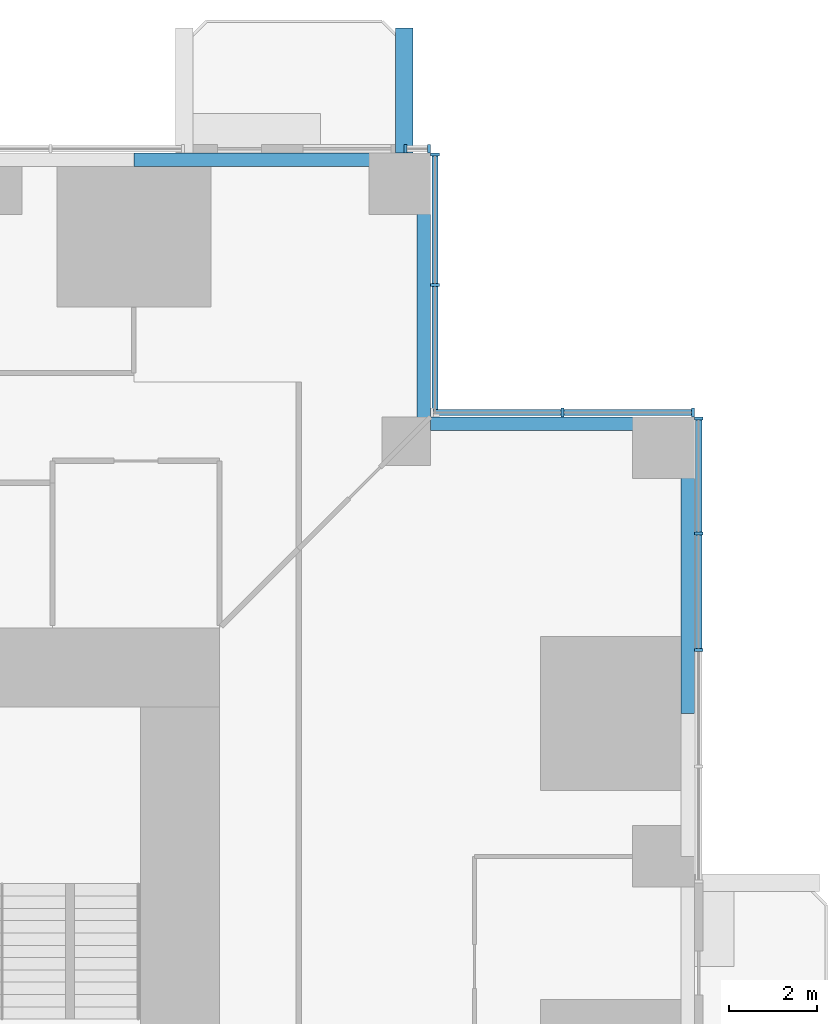
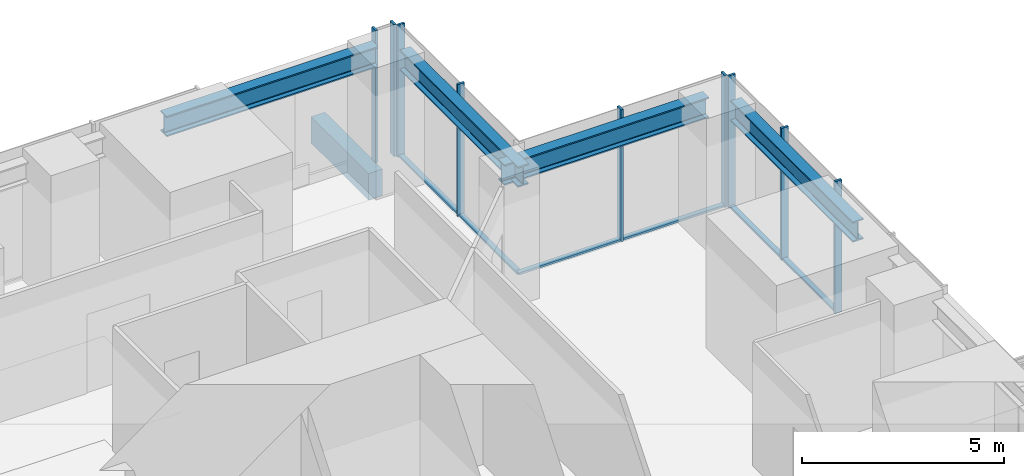
# One storey, part 6 of 17: 15 members, 5 beams, 4 elements without a shape of their own.
"""IFC4 building model written with IfcOpenShell, lengths in metres."""

from ifc_helpers import new_model, si_unit, direction, frame, origin, origin_2d, place, context, subcontext, project, spatial, rectangle, i_section, extrude, material, material_profile, profile_set, type_object, element, aggregate, save


model = new_model("IFC4")

# Units and contexts
model_context = context("Model", 3, precision=1e-05, world=origin(), true_north=direction((0.0, 1.0)))
body_context = subcontext(model_context, "Body", "Model", "MODEL_VIEW")
ifc_project = project(units=[si_unit("LENGTHUNIT", "METRE"), si_unit("AREAUNIT", "SQUARE_METRE"), si_unit("VOLUMEUNIT", "CUBIC_METRE"), si_unit("PLANEANGLEUNIT", "RADIAN"), si_unit("MASSUNIT", "GRAM", prefix="KILO")], contexts=[model_context])

# Site, building, storey
site_placement = place(None, origin())
site = spatial("IfcSite", under=ifc_project, at=site_placement, CompositionType="ELEMENT")
building_placement = place(site_placement, origin())
building = spatial("IfcBuilding", under=site, at=building_placement, Name="Svetlomir Tower", CompositionType="ELEMENT")
storey_placement = place(building_placement, frame((0.0, 0.0, 30.5)))
storey = spatial("IfcBuildingStorey", under=building, at=storey_placement, Name="L06", CompositionType="ELEMENT", Elevation=30.5)

# Beam
ifc_material_1 = material(Name="Concrete C60/75", Category="concrete")
ifc_material_profile_1 = material_profile(ifc_material_1, rectangle(XDim=0.39990234375, YDim=0.800048828125, at=origin_2d()), Name="RC 400x800")
ifc_profile_set_1 = profile_set([ifc_material_profile_1], Name="Concrete C60/75")
beam_type_1 = type_object("IfcBeamType", Name="BALCONY RIB RC 400x800", PredefinedType="BEAM", material=ifc_profile_set_1)
beam_placement = place(storey_placement, frame((35.39990234375, 42.0, -0.64990234375), z_axis=(0.0, 1.0, 0.0), x_axis=(-1.0, 0.0, 0.0)))
element("IfcBeam", 1, at=beam_placement, inside=storey, type_object=beam_type_1, Name="Balcony rib N 2 L06", PredefinedType="BEAM", context=body_context, shape_type="SweptSolid", body=[
    extrude(rectangle(XDim=0.39990234375, YDim=0.800048828125, at=origin_2d()), origin(), (0.0, 0.0, 1.0), 2.85009765625),
])

# Curtain wall, members
ifc_material_2 = material(Name="Bronze anodised aluminium curtain wall", Category="aluminium")
curtain_wall_type = type_object("IfcCurtainWallType", Name="CURTAIN WALL CW1 TOWER OFFICE", PredefinedType="NOTDEFINED", material=ifc_material_2)
curtain_wall_1_placement = place(storey_placement, origin())
curtain_wall_1 = element("IfcCurtainWall", 2, at=curtain_wall_1_placement, inside=storey, type_object=curtain_wall_type, Name="Curtain wall CW1 L06", PredefinedType="NOTDEFINED")
ifc_material_3 = material(Name="Bronze anodised aluminium", Category="aluminium")
ifc_material_profile_2 = material_profile(ifc_material_3, rectangle(XDim=0.06494140625, YDim=0.199951171875, at=origin_2d()), Name="AL 65x200")
ifc_profile_set_2 = profile_set([ifc_material_profile_2], Name="Bronze anodised aluminium 6063-T6")
member_type_1 = type_object("IfcMemberType", Name="CW1 MULLION 65x200", PredefinedType="MULLION", material=ifc_profile_set_2)
member_1_placement = place(storey_placement, frame((42.10009765625, 30.699951171875, 0.0), z_axis=(0.0, 0.0, 1.0), x_axis=(0.0, 1.0, 0.0)))
member_1 = element("IfcMember", 3, at=member_1_placement, type_object=member_type_1, Name="CW1 mullion 3", PredefinedType="MULLION", context=body_context, shape_type="SweptSolid", body=[
    extrude(rectangle(XDim=0.06494140625, YDim=0.199951171875, at=origin_2d()), origin(), (0.0, 0.0, 1.0), 4.0),
])
member_2_placement = place(storey_placement, frame((42.10009765625, 33.35009765625, 0.0), z_axis=(0.0, 0.0, 1.0), x_axis=(0.0, 1.0, 0.0)))
member_2 = element("IfcMember", 4, at=member_2_placement, type_object=member_type_1, Name="CW1 mullion 4", PredefinedType="MULLION", context=body_context, shape_type="SweptSolid", body=[
    extrude(rectangle(XDim=0.06494140625, YDim=0.199951171875, at=origin_2d()), origin(), (0.0, 0.0, 1.0), 4.0),
])
member_3_placement = place(storey_placement, frame((42.10009765625, 35.967529296875, 0.0), z_axis=(0.0, 0.0, 1.0), x_axis=(0.0, 1.0, 0.0)))
member_3 = element("IfcMember", 5, at=member_3_placement, type_object=member_type_1, Name="CW1 mullion 5", PredefinedType="MULLION", context=body_context, shape_type="SweptSolid", body=[
    extrude(rectangle(XDim=0.06494140625, YDim=0.199951171875, at=origin_2d()), origin(), (0.0, 0.0, 1.0), 4.0),
])

curtain_wall_2_placement = place(storey_placement, origin())
curtain_wall_2 = element("IfcCurtainWall", 6, at=curtain_wall_2_placement, inside=storey, type_object=curtain_wall_type, Name="Curtain wall CW1 L06", PredefinedType="NOTDEFINED")
member_4_placement = place(storey_placement, frame((41.967529296875, 36.10009765625, 0.0), z_axis=(0.0, 0.0, 1.0), x_axis=(-1.0, 0.0, 0.0)))
member_4 = element("IfcMember", 7, at=member_4_placement, type_object=member_type_1, Name="CW1 mullion 1", PredefinedType="MULLION", context=body_context, shape_type="SweptSolid", body=[
    extrude(rectangle(XDim=0.06494140625, YDim=0.199951171875, at=origin_2d()), origin(), (0.0, 0.0, 1.0), 4.0),
])
member_5_placement = place(storey_placement, frame((39.0, 36.10009765625, 0.0), z_axis=(0.0, 0.0, 1.0), x_axis=(-1.0, 0.0, 0.0)))
member_5 = element("IfcMember", 8, at=member_5_placement, type_object=member_type_1, Name="CW1 mullion 2", PredefinedType="MULLION", context=body_context, shape_type="SweptSolid", body=[
    extrude(rectangle(XDim=0.06494140625, YDim=0.199951171875, at=origin_2d()), origin(), (0.0, 0.0, 1.0), 4.0),
])

curtain_wall_3_placement = place(storey_placement, origin())
curtain_wall_3 = element("IfcCurtainWall", 9, at=curtain_wall_3_placement, inside=storey, type_object=curtain_wall_type, Name="Curtain wall CW1 L06", PredefinedType="NOTDEFINED")
member_6_placement = place(storey_placement, frame((36.10009765625, 39.0, 0.0), z_axis=(0.0, 0.0, 1.0), x_axis=(0.0, 1.0, 0.0)))
member_6 = element("IfcMember", 10, at=member_6_placement, type_object=member_type_1, Name="CW1 mullion 2", PredefinedType="MULLION", context=body_context, shape_type="SweptSolid", body=[
    extrude(rectangle(XDim=0.06494140625, YDim=0.199951171875, at=origin_2d()), origin(), (0.0, 0.0, 1.0), 4.0),
])
member_7_placement = place(storey_placement, frame((36.10009765625, 41.967529296875, 0.0), z_axis=(0.0, 0.0, 1.0), x_axis=(0.0, 1.0, 0.0)))
member_7 = element("IfcMember", 11, at=member_7_placement, type_object=member_type_1, Name="CW1 mullion 3", PredefinedType="MULLION", context=body_context, shape_type="SweptSolid", body=[
    extrude(rectangle(XDim=0.06494140625, YDim=0.199951171875, at=origin_2d()), origin(), (0.0, 0.0, 1.0), 4.0),
])

curtain_wall_4_placement = place(storey_placement, origin())
curtain_wall_4 = element("IfcCurtainWall", 12, at=curtain_wall_4_placement, inside=storey, type_object=curtain_wall_type, Name="Curtain wall CW1 L06", PredefinedType="NOTDEFINED")
member_8_placement = place(storey_placement, frame((35.967529296875, 42.10009765625, 0.0), z_axis=(0.0, 0.0, 1.0), x_axis=(-1.0, 0.0, 0.0)))
member_8 = element("IfcMember", 13, at=member_8_placement, type_object=member_type_1, Name="CW1 mullion 1", PredefinedType="MULLION", context=body_context, shape_type="SweptSolid", body=[
    extrude(rectangle(XDim=0.06494140625, YDim=0.199951171875, at=origin_2d()), origin(), (0.0, 0.0, 1.0), 4.0),
])
member_9_placement = place(storey_placement, frame((35.4326171875, 42.10009765625, 0.0), z_axis=(0.0, 0.0, 1.0), x_axis=(-1.0, 0.0, 0.0)))
member_9 = element("IfcMember", 14, at=member_9_placement, type_object=member_type_1, Name="CW1 mullion 2", PredefinedType="MULLION", context=body_context, shape_type="SweptSolid", body=[
    extrude(rectangle(XDim=0.06494140625, YDim=0.199951171875, at=origin_2d()), origin(), (0.0, 0.0, 1.0), 4.0),
])
aggregate(curtain_wall_4, [member_8, member_9])

# Member
ifc_material_4 = material(Name="Bronze anodised aluminium", Category="aluminium")
ifc_material_profile_3 = material_profile(ifc_material_4, rectangle(XDim=0.139892578125, YDim=0.06494140625, at=origin_2d()), Name="AL 140x65")
ifc_profile_set_3 = profile_set([ifc_material_profile_3], Name="Bronze anodised aluminium 6063-T6")
member_type_2 = type_object("IfcMemberType", Name="CW1 TRANSOM 65x140", PredefinedType="USERDEFINED", material=ifc_profile_set_3)
member_10_placement = place(storey_placement, frame((42.10009765625, 30.732421875, 0.032470703125), z_axis=(0.0, 1.0, 0.0), x_axis=(-1.0, 0.0, 0.0)))
member_10 = element("IfcMember", 15, at=member_10_placement, type_object=member_type_2, Name="CW1 transom 3.1", ObjectType="TRANSOM", PredefinedType="USERDEFINED", context=body_context, shape_type="SweptSolid", body=[
    extrude(rectangle(XDim=0.139892578125, YDim=0.06494140625, at=origin_2d()), origin(), (0.0, 0.0, 1.0), 2.5849609375),
])

member_11_placement = place(storey_placement, frame((42.10009765625, 33.382568359375, 0.032470703125), z_axis=(0.0, 1.0, 0.0), x_axis=(-1.0, 0.0, 0.0)))
member_11 = element("IfcMember", 16, at=member_11_placement, type_object=member_type_2, Name="CW1 transom 4.1", ObjectType="TRANSOM", PredefinedType="USERDEFINED", context=body_context, shape_type="SweptSolid", body=[
    extrude(rectangle(XDim=0.139892578125, YDim=0.06494140625, at=origin_2d()), origin(), (0.0, 0.0, 1.0), 2.552490234375),
])

aggregate(curtain_wall_1, [member_1, member_2, member_3, member_10, member_11])

member_12_placement = place(storey_placement, frame((41.93505859375, 36.10009765625, 0.032470703125), z_axis=(-1.0, 0.0, 0.0), x_axis=(0.0, -1.0, 0.0)))
member_12 = element("IfcMember", 17, at=member_12_placement, type_object=member_type_2, Name="CW1 transom 1.1", ObjectType="TRANSOM", PredefinedType="USERDEFINED", context=body_context, shape_type="SweptSolid", body=[
    extrude(rectangle(XDim=0.139892578125, YDim=0.06494140625, at=origin_2d()), origin(), (0.0, 0.0, 1.0), 2.902587890625),
])

member_13_placement = place(storey_placement, frame((38.967529296875, 36.10009765625, 0.032470703125), z_axis=(-1.0, 0.0, 0.0), x_axis=(0.0, -1.0, 0.0)))
member_13 = element("IfcMember", 18, at=member_13_placement, type_object=member_type_2, Name="CW1 transom 2.1", ObjectType="TRANSOM", PredefinedType="USERDEFINED", context=body_context, shape_type="SweptSolid", body=[
    extrude(rectangle(XDim=0.139892578125, YDim=0.06494140625, at=origin_2d()), origin(), (0.0, 0.0, 1.0), 2.902587890625),
])

aggregate(curtain_wall_2, [member_4, member_5, member_12, member_13])

member_14_placement = place(storey_placement, frame((36.10009765625, 36.06494140625, 0.032470703125), z_axis=(0.0, 1.0, 0.0), x_axis=(-1.0, 0.0, 0.0)))
member_14 = element("IfcMember", 19, at=member_14_placement, type_object=member_type_2, Name="CW1 transom 1.1", ObjectType="TRANSOM", PredefinedType="USERDEFINED", context=body_context, shape_type="SweptSolid", body=[
    extrude(rectangle(XDim=0.139892578125, YDim=0.06494140625, at=origin_2d()), origin(), (0.0, 0.0, 1.0), 2.902587890625),
])

member_15_placement = place(storey_placement, frame((36.10009765625, 39.032470703125, 0.032470703125), z_axis=(0.0, 1.0, 0.0), x_axis=(-1.0, 0.0, 0.0)))
member_15 = element("IfcMember", 20, at=member_15_placement, type_object=member_type_2, Name="CW1 transom 2.1", ObjectType="TRANSOM", PredefinedType="USERDEFINED", context=body_context, shape_type="SweptSolid", body=[
    extrude(rectangle(XDim=0.139892578125, YDim=0.06494140625, at=origin_2d()), origin(), (0.0, 0.0, 1.0), 2.902587890625),
])

aggregate(curtain_wall_3, [member_6, member_7, member_14, member_15])

# Beams
ifc_material_5 = material(Name="Steel S355", Category="steel")
ifc_material_profile_4 = material_profile(ifc_material_5, i_section(OverallWidth=0.304931640625, OverallDepth=0.6201171875, WebThickness=0.02099609375, FlangeThickness=0.0400390625, FilletRadius=0.027099609375, at=origin_2d()), Name="HEM 600")
ifc_profile_set_4 = profile_set([ifc_material_profile_4], Name="Steel S355")
beam_type_2 = type_object("IfcBeamType", Name="EDGE BEAM HEM 600", PredefinedType="SPANDREL", material=ifc_profile_set_4)
for number, where, z_axis, x_axis, name in (
    (21, (41.847412109375, 29.25, 3.43994140625), (0.0, 1.0, 0.0), (-1.0, 0.0, 0.0), "Edge beam 42/31 to 42/36 under L07"),
    (22, (29.25, 41.847412109375, 3.43994140625), (1.0, 0.0, 0.0), (0.0, 1.0, 0.0), "Edge beam 31/42 to 36/42 under L07"),
):
    element("IfcBeam", number, at=place(storey_placement, frame(where, z_axis=z_axis, x_axis=x_axis)), inside=storey, type_object=beam_type_2, Name=name, PredefinedType="SPANDREL", context=body_context, shape_type="SweptSolid", body=[
        extrude(i_section(OverallWidth=0.304931640625, OverallDepth=0.6201171875, WebThickness=0.02099609375, FlangeThickness=0.0400390625, FilletRadius=0.027099609375, at=origin_2d()), origin(), (0.0, 0.0, 1.0), 6.050048828125),
    ])
for number, where, z_axis, x_axis, name in (
    (23, (35.847412109375, 41.300048828125, 3.43994140625), (0.0, -1.0, 0.0), (1.0, 0.0, 0.0), "Edge beam 36/42 to 36/36 under L07"),
    (24, (41.300048828125, 35.847412109375, 3.43994140625), (-1.0, 0.0, 0.0), (0.0, -1.0, 0.0), "Edge beam 42/36 to 36/36 under L07"),
):
    element("IfcBeam", number, at=place(storey_placement, frame(where, z_axis=z_axis, x_axis=x_axis)), inside=storey, type_object=beam_type_2, Name=name, PredefinedType="SPANDREL", context=body_context, shape_type="SweptSolid", body=[
        extrude(i_section(OverallWidth=0.304931640625, OverallDepth=0.6201171875, WebThickness=0.02099609375, FlangeThickness=0.0400390625, FilletRadius=0.027099609375, at=origin_2d()), origin(), (0.0, 0.0, 1.0), 5.85009765625),
    ])

save(model, "model.ifc")
